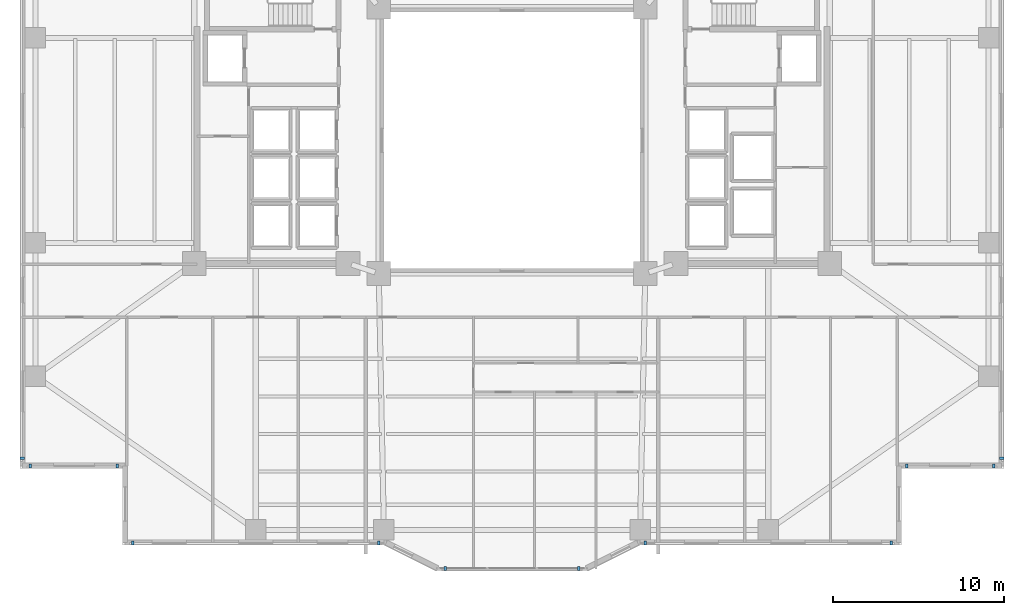
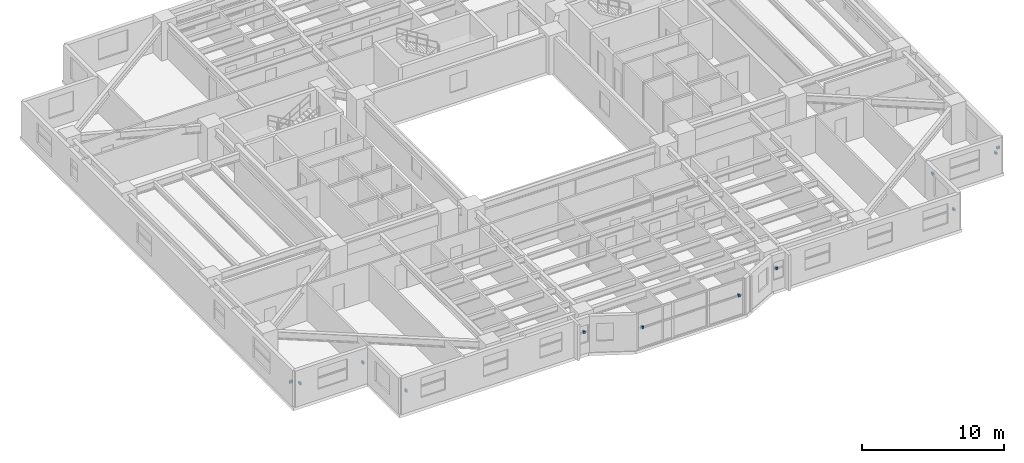
# One storey, part 15 of 19: 12 discrete accessories.
"""IFC4 building model written with IfcOpenShell, lengths in metres."""

from ifc_helpers import new_model, si_unit, direction, frame, origin, origin_2d, place, context, subcontext, project, spatial, rectangle, extrude, material, type_object, element, save


model = new_model("IFC4")

# Units and contexts
model_context = context("Model", 3, precision=1e-05, world=origin(), true_north=direction((0.0, 1.0)))
body_context = subcontext(model_context, "Body", "Model", "MODEL_VIEW")
ifc_project = project(units=[si_unit("LENGTHUNIT", "METRE"), si_unit("AREAUNIT", "SQUARE_METRE"), si_unit("VOLUMEUNIT", "CUBIC_METRE"), si_unit("PLANEANGLEUNIT", "RADIAN"), si_unit("MASSUNIT", "GRAM", prefix="KILO")], contexts=[model_context])

# Site, building, storey
site_placement = place(None, origin())
site = spatial("IfcSite", under=ifc_project, at=site_placement, CompositionType="ELEMENT")
building_placement = place(site_placement, origin())
building = spatial("IfcBuilding", under=site, at=building_placement, Name="Tarnavaz Court Tower", CompositionType="ELEMENT")
storey_placement = place(building_placement, frame((0.0, 0.0, 50.800048828125)))
storey = spatial("IfcBuildingStorey", under=building, at=storey_placement, Name="L13", CompositionType="ELEMENT", Elevation=50.800048828125)

# Discrete accessories
ifc_material = material(Name="Anodised Aluminium 6063-T6", Category="aluminium")
discrete_accessory_type = type_object("IfcDiscreteAccessoryType", Name="DA-BRKT-ALU", PredefinedType="BRACKET", material=ifc_material)
for number, where, z_axis, x_axis, name in (
    (1, (-23.10009765625, -19.070068359375, 1.75), (0.0, 0.0, 1.0), (-1.0, 0.0, 0.0), "L13 Baguette Outrigger Bracket FBG01-1"),
    (2, (-28.199951171875, -19.070068359375, 1.75), (0.0, 0.0, 1.0), (-1.0, 0.0, 0.0), "L13 Baguette Outrigger Bracket FBG01-2"),
    (3, (-28.669921875, -18.60009765625, 1.75), (0.0, 0.0, 1.0), (0.0, 1.0, 0.0), "L13 Baguette Outrigger Bracket FBG02-1"),
    (4, (28.669921875, -18.60009765625, 1.75), (0.0, 0.0, 1.0), (0.0, -1.0, 0.0), "L13 Baguette Outrigger Bracket FBG12-2"),
    (5, (28.199951171875, -19.070068359375, 1.75), (0.0, 0.0, 1.0), (-1.0, 0.0, 0.0), "L13 Baguette Outrigger Bracket FBG13-1"),
    (6, (23.10009765625, -19.070068359375, 1.75), (0.0, 0.0, 1.0), (-1.0, 0.0, 0.0), "L13 Baguette Outrigger Bracket FBG13-2"),
    (7, (22.199951171875, -23.570068359375, 1.75), (0.0, 0.0, 1.0), (-1.0, 0.0, 0.0), "L13 Baguette Outrigger Bracket FBG15-1"),
    (8, (7.800048828125, -23.570068359375, 1.75), (0.0, 0.0, 1.0), (-1.0, 0.0, 0.0), "L13 Baguette Outrigger Bracket FBG15-2"),
    (9, (3.89990234375, -25.070068359375, 1.7001953125), (0.0, 0.0, 1.0), (-1.0, 0.0, 0.0), "L13 Baguette Outrigger Bracket PBG17-1"),
    (10, (-3.89990234375, -25.070068359375, 1.7001953125), (0.0, 0.0, 1.0), (-1.0, 0.0, 0.0), "L13 Baguette Outrigger Bracket PBG17-2"),
    (11, (-7.800048828125, -23.570068359375, 1.75), (0.0, 0.0, 1.0), (-1.0, 0.0, 0.0), "L13 Baguette Outrigger Bracket FBG19-1"),
    (12, (-22.199951171875, -23.570068359375, 1.75), (0.0, 0.0, 1.0), (-1.0, 0.0, 0.0), "L13 Baguette Outrigger Bracket FBG19-2"),
):
    element("IfcDiscreteAccessory", number, at=place(storey_placement, frame(where, z_axis=z_axis, x_axis=x_axis)), inside=storey, type_object=discrete_accessory_type, Name=name, PredefinedType="BRACKET", context=body_context, shape_type="SweptSolid", body=[
        extrude(rectangle(XDim=0.139892578125, YDim=0.239990234375, at=origin_2d()), origin(), (0.0, 0.0, 1.0), 0.199951171875),
    ])

save(model, "model.ifc")
